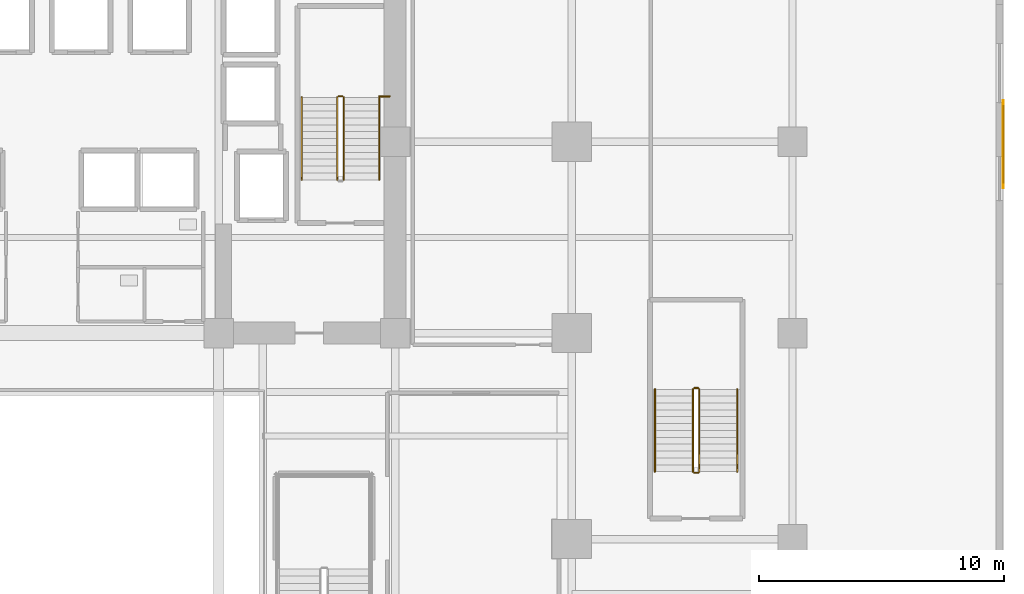
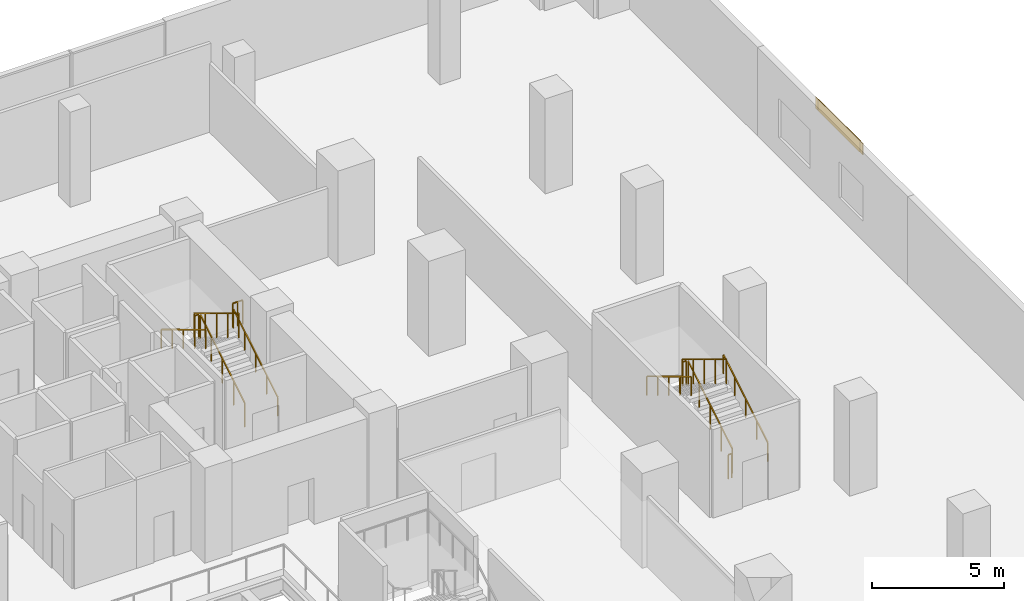
# One storey, part 20 of 21: 12 railings, 1 covering, 1 shading device.
"""IFC4 building model written with IfcOpenShell, lengths in metres."""

from ifc_helpers import new_model, si_unit, direction, frame, origin, origin_2d, place, context, subcontext, project, spatial, rectangle, extrude, source, transform, mapped, material, layer, layer_set, type_object, element, save


model = new_model("IFC4")

# Units and contexts
model_context = context("Model", 3, precision=1e-05, world=origin(), true_north=direction((0.0, 1.0)))
body_context = subcontext(model_context, "Body", "Model", "MODEL_VIEW")
ifc_project = project(units=[si_unit("LENGTHUNIT", "METRE"), si_unit("AREAUNIT", "SQUARE_METRE"), si_unit("VOLUMEUNIT", "CUBIC_METRE"), si_unit("PLANEANGLEUNIT", "RADIAN"), si_unit("MASSUNIT", "GRAM", prefix="KILO")], contexts=[model_context])

# Site, building, storey
site_placement = place(None, origin())
site = spatial("IfcSite", under=ifc_project, at=site_placement, CompositionType="ELEMENT")
building_placement = place(site_placement, origin())
building = spatial("IfcBuilding", under=site, at=building_placement, Name="Zarnakvel Exchange Tower", CompositionType="ELEMENT")
storey_placement = place(building_placement, frame((0.0, 0.0, 5.0)))
storey = spatial("IfcBuildingStorey", under=building, at=storey_placement, Name="L01", CompositionType="ELEMENT", Elevation=5.0)

# Railings
ifc_material_1 = material(Name="Brushed Stainless Steel", Category="steel")
railing_type_1 = type_object("IfcRailingType", Name="HR-01", PredefinedType="HANDRAIL", material=ifc_material_1)
railing_1_placement = place(storey_placement, frame((13.75, 5.050048828125, 0.169189453125)))
element("IfcRailing", 1, at=railing_1_placement, inside=storey, type_object=railing_type_1, Name="L01 ST-02 stair handrail 1", PredefinedType="HANDRAIL", context=body_context, shape_type="SweptSolid", body=[
    extrude(rectangle(XDim=0.048095703125, YDim=0.048095703125, at=origin_2d()), frame((0.0, 0.0, 0.8759765625), z_axis=(0.0, 0.855820338506, 0.51727318527), x_axis=(-1.0, 0.0, 0.0)), (0.0, 0.0, 1.0), 3.92578125),
    extrude(rectangle(XDim=0.0419921875, YDim=0.0419921875, at=origin_2d()), origin(), (0.0, 0.0, 1.0), 0.851806640625),
    extrude(rectangle(XDim=0.0419921875, YDim=0.0419921875, at=origin_2d()), frame((0.0, 0.83984375, 0.5078125)), (0.0, 0.0, 1.0), 0.851806640625),
    extrude(rectangle(XDim=0.0419921875, YDim=0.0419921875, at=origin_2d()), frame((0.0, 1.679931640625, 1.015380859375)), (0.0, 0.0, 1.0), 0.851806640625),
    extrude(rectangle(XDim=0.0419921875, YDim=0.0419921875, at=origin_2d()), frame((0.0, 2.52001953125, 1.52294921875)), (0.0, 0.0, 1.0), 0.851806640625),
    extrude(rectangle(XDim=0.0419921875, YDim=0.0419921875, at=origin_2d()), frame((0.0, 3.35986328125, 2.03076171875)), (0.0, 0.0, 1.0), 0.851806640625),
])
railing_2_placement = place(storey_placement, frame((10.590087890625, 8.409912109375, 2.369140625)))
element("IfcRailing", 2, at=railing_2_placement, inside=storey, type_object=railing_type_1, Name="L01 ST-02 stair handrail 2", PredefinedType="HANDRAIL", context=body_context, shape_type="SweptSolid", body=[
    extrude(rectangle(XDim=0.048095703125, YDim=0.048095703125, at=origin_2d()), frame((0.0, 0.0, 0.8759765625), z_axis=(0.0, -0.855820338506, 0.51727318527), x_axis=(1.0, 0.0, 0.0)), (0.0, 0.0, 1.0), 3.92578125),
    extrude(rectangle(XDim=0.0419921875, YDim=0.0419921875, at=origin_2d()), origin(), (0.0, 0.0, 1.0), 0.851806640625),
    extrude(rectangle(XDim=0.0419921875, YDim=0.0419921875, at=origin_2d()), frame((0.0, -0.83984375, 0.5078125)), (0.0, 0.0, 1.0), 0.851806640625),
    extrude(rectangle(XDim=0.0419921875, YDim=0.0419921875, at=origin_2d()), frame((0.0, -1.679931640625, 1.015380859375)), (0.0, 0.0, 1.0), 0.851806640625),
    extrude(rectangle(XDim=0.0419921875, YDim=0.0419921875, at=origin_2d()), frame((0.0, -2.52001953125, 1.52294921875)), (0.0, 0.0, 1.0), 0.851806640625),
    extrude(rectangle(XDim=0.0419921875, YDim=0.0419921875, at=origin_2d()), frame((0.0, -3.35986328125, 2.03076171875)), (0.0, 0.0, 1.0), 0.851806640625),
])
railing_3_placement = place(storey_placement, frame((28.35009765625, -6.85009765625, 0.169189453125)))
element("IfcRailing", 3, at=railing_3_placement, inside=storey, type_object=railing_type_1, Name="L01 ST-04 stair handrail 1", PredefinedType="HANDRAIL", context=body_context, shape_type="SweptSolid", body=[
    extrude(rectangle(XDim=0.048095703125, YDim=0.048095703125, at=origin_2d()), frame((0.0, 0.0, 0.8759765625), z_axis=(0.0, 0.855836976705, 0.517245656632), x_axis=(-1.0, 0.0, 0.0)), (0.0, 0.0, 1.0), 3.926025390625),
    extrude(rectangle(XDim=0.0419921875, YDim=0.0419921875, at=origin_2d()), origin(), (0.0, 0.0, 1.0), 0.851806640625),
    extrude(rectangle(XDim=0.0419921875, YDim=0.0419921875, at=origin_2d()), frame((0.0, 0.840087890625, 0.5078125)), (0.0, 0.0, 1.0), 0.851806640625),
    extrude(rectangle(XDim=0.0419921875, YDim=0.0419921875, at=origin_2d()), frame((0.0, 1.68017578125, 1.015380859375)), (0.0, 0.0, 1.0), 0.851806640625),
    extrude(rectangle(XDim=0.0419921875, YDim=0.0419921875, at=origin_2d()), frame((0.0, 2.52001953125, 1.52294921875)), (0.0, 0.0, 1.0), 0.851806640625),
    extrude(rectangle(XDim=0.0419921875, YDim=0.0419921875, at=origin_2d()), frame((0.0, 3.360107421875, 2.03076171875)), (0.0, 0.0, 1.0), 0.851806640625),
])
railing_4_placement = place(storey_placement, frame((24.989990234375, -3.489990234375, 2.369140625)))
element("IfcRailing", 4, at=railing_4_placement, inside=storey, type_object=railing_type_1, Name="L01 ST-04 stair handrail 2", PredefinedType="HANDRAIL", context=body_context, shape_type="SweptSolid", body=[
    extrude(rectangle(XDim=0.048095703125, YDim=0.048095703125, at=origin_2d()), frame((0.0, 0.0, 0.8759765625), z_axis=(0.0, -0.855836976705, 0.517245656632), x_axis=(1.0, 0.0, 0.0)), (0.0, 0.0, 1.0), 3.926025390625),
    extrude(rectangle(XDim=0.0419921875, YDim=0.0419921875, at=origin_2d()), origin(), (0.0, 0.0, 1.0), 0.851806640625),
    extrude(rectangle(XDim=0.0419921875, YDim=0.0419921875, at=origin_2d()), frame((0.0, -0.840087890625, 0.5078125)), (0.0, 0.0, 1.0), 0.851806640625),
    extrude(rectangle(XDim=0.0419921875, YDim=0.0419921875, at=origin_2d()), frame((0.0, -1.68017578125, 1.015380859375)), (0.0, 0.0, 1.0), 0.851806640625),
    extrude(rectangle(XDim=0.0419921875, YDim=0.0419921875, at=origin_2d()), frame((0.0, -2.52001953125, 1.52294921875)), (0.0, 0.0, 1.0), 0.851806640625),
    extrude(rectangle(XDim=0.0419921875, YDim=0.0419921875, at=origin_2d()), frame((0.0, -3.360107421875, 2.03076171875)), (0.0, 0.0, 1.0), 0.851806640625),
])
ifc_material_2 = material(Name="Architectural Bronze Anodised Aluminium", Category="aluminium")
railing_type_2 = type_object("IfcRailingType", Name="SG-01", PredefinedType="GUARDRAIL", material=ifc_material_2)
railing_5_placement = place(storey_placement, frame((12.300048828125, 5.050048828125, 0.169189453125)))
element("IfcRailing", 5, at=railing_5_placement, inside=storey, type_object=railing_type_2, Name="L01 ST-02 stair guard 1", PredefinedType="GUARDRAIL", context=body_context, shape_type="SweptSolid", body=[
    extrude(rectangle(XDim=0.048095703125, YDim=0.048095703125, at=origin_2d()), frame((0.0, 0.0, 1.1259765625), z_axis=(0.0, 0.855820338506, 0.51727318527), x_axis=(-1.0, 0.0, 0.0)), (0.0, 0.0, 1.0), 3.92578125),
    extrude(rectangle(XDim=0.0419921875, YDim=0.0419921875, at=origin_2d()), origin(), (0.0, 0.0, 1.0), 1.101806640625),
    extrude(rectangle(XDim=0.0419921875, YDim=0.0419921875, at=origin_2d()), frame((0.0, 0.83984375, 0.5078125)), (0.0, 0.0, 1.0), 1.101806640625),
    extrude(rectangle(XDim=0.0419921875, YDim=0.0419921875, at=origin_2d()), frame((0.0, 1.679931640625, 1.015380859375)), (0.0, 0.0, 1.0), 1.101806640625),
    extrude(rectangle(XDim=0.0419921875, YDim=0.0419921875, at=origin_2d()), frame((0.0, 2.52001953125, 1.52294921875)), (0.0, 0.0, 1.0), 1.101806640625),
    extrude(rectangle(XDim=0.0419921875, YDim=0.0419921875, at=origin_2d()), frame((0.0, 3.35986328125, 2.03076171875)), (0.0, 0.0, 1.0), 1.101806640625),
])
railing_6_placement = place(storey_placement, frame((12.25, 8.4599609375, 2.199951171875)))
element("IfcRailing", 6, at=railing_6_placement, inside=storey, type_object=railing_type_2, Name="L01 ST-02 stair guard 2", PredefinedType="GUARDRAIL", context=body_context, shape_type="SweptSolid", body=[
    extrude(rectangle(XDim=0.048095703125, YDim=0.048095703125, at=origin_2d()), frame((0.0, 0.0, 1.1259765625), z_axis=(-1.0, 0.0, 0.0), x_axis=(0.0, -1.0, 0.0)), (0.0, 0.0, 1.0), 0.159912109375),
    extrude(rectangle(XDim=0.0419921875, YDim=0.0419921875, at=origin_2d()), origin(), (0.0, 0.0, 1.0), 1.101806640625),
    extrude(rectangle(XDim=0.0419921875, YDim=0.0419921875, at=origin_2d()), frame((-0.159912109375, 0.0, 0.0)), (0.0, 0.0, 1.0), 1.101806640625),
])
railing_7_placement = place(storey_placement, frame((12.0400390625, 8.409912109375, 2.369140625)))
element("IfcRailing", 7, at=railing_7_placement, inside=storey, type_object=railing_type_2, Name="L01 ST-02 stair guard 3", PredefinedType="GUARDRAIL", context=body_context, shape_type="SweptSolid", body=[
    extrude(rectangle(XDim=0.048095703125, YDim=0.048095703125, at=origin_2d()), frame((0.0, 0.0, 1.1259765625), z_axis=(0.0, -0.855820338506, 0.51727318527), x_axis=(1.0, 0.0, 0.0)), (0.0, 0.0, 1.0), 3.92578125),
    extrude(rectangle(XDim=0.0419921875, YDim=0.0419921875, at=origin_2d()), origin(), (0.0, 0.0, 1.0), 1.101806640625),
    extrude(rectangle(XDim=0.0419921875, YDim=0.0419921875, at=origin_2d()), frame((0.0, -0.83984375, 0.5078125)), (0.0, 0.0, 1.0), 1.101806640625),
    extrude(rectangle(XDim=0.0419921875, YDim=0.0419921875, at=origin_2d()), frame((0.0, -1.679931640625, 1.015380859375)), (0.0, 0.0, 1.0), 1.101806640625),
    extrude(rectangle(XDim=0.0419921875, YDim=0.0419921875, at=origin_2d()), frame((0.0, -2.52001953125, 1.52294921875)), (0.0, 0.0, 1.0), 1.101806640625),
    extrude(rectangle(XDim=0.0419921875, YDim=0.0419921875, at=origin_2d()), frame((0.0, -3.35986328125, 2.03076171875)), (0.0, 0.0, 1.0), 1.101806640625),
])
railing_8_placement = place(storey_placement, frame((13.75, 8.449951171875, 2.199951171875)))
element("IfcRailing", 8, at=railing_8_placement, inside=storey, type_object=railing_type_2, Name="L01 ST-02 Landing Slot Guardrail", PredefinedType="GUARDRAIL", context=body_context, shape_type="SweptSolid", body=[
    extrude(rectangle(XDim=0.048095703125, YDim=0.048095703125, at=origin_2d()), frame((0.0, 0.0, 1.1259765625), z_axis=(1.0, 0.0, 0.0), x_axis=(0.0, 1.0, 0.0)), (0.0, 0.0, 1.0), 0.429931640625),
    extrude(rectangle(XDim=0.0419921875, YDim=0.0419921875, at=origin_2d()), origin(), (0.0, 0.0, 1.0), 1.101806640625),
    extrude(rectangle(XDim=0.0419921875, YDim=0.0419921875, at=origin_2d()), frame((0.21484375, 0.0, 0.0)), (0.0, 0.0, 1.0), 1.101806640625),
    extrude(rectangle(XDim=0.0419921875, YDim=0.0419921875, at=origin_2d()), frame((0.429931640625, 0.0, 0.0)), (0.0, 0.0, 1.0), 1.101806640625),
])
railing_9_placement = place(storey_placement, frame((26.800048828125, -6.85009765625, 0.169189453125)))
element("IfcRailing", 9, at=railing_9_placement, inside=storey, type_object=railing_type_2, Name="L01 ST-04 stair guard 1", PredefinedType="GUARDRAIL", context=body_context, shape_type="SweptSolid", body=[
    extrude(rectangle(XDim=0.048095703125, YDim=0.048095703125, at=origin_2d()), frame((0.0, 0.0, 1.1259765625), z_axis=(0.0, 0.855836976705, 0.517245656632), x_axis=(-1.0, 0.0, 0.0)), (0.0, 0.0, 1.0), 3.926025390625),
    extrude(rectangle(XDim=0.0419921875, YDim=0.0419921875, at=origin_2d()), origin(), (0.0, 0.0, 1.0), 1.101806640625),
    extrude(rectangle(XDim=0.0419921875, YDim=0.0419921875, at=origin_2d()), frame((0.0, 0.840087890625, 0.5078125)), (0.0, 0.0, 1.0), 1.101806640625),
    extrude(rectangle(XDim=0.0419921875, YDim=0.0419921875, at=origin_2d()), frame((0.0, 1.68017578125, 1.015380859375)), (0.0, 0.0, 1.0), 1.101806640625),
    extrude(rectangle(XDim=0.0419921875, YDim=0.0419921875, at=origin_2d()), frame((0.0, 2.52001953125, 1.52294921875)), (0.0, 0.0, 1.0), 1.101806640625),
    extrude(rectangle(XDim=0.0419921875, YDim=0.0419921875, at=origin_2d()), frame((0.0, 3.360107421875, 2.03076171875)), (0.0, 0.0, 1.0), 1.101806640625),
])
railing_10_placement = place(storey_placement, frame((26.75, -3.43994140625, 2.199951171875)))
element("IfcRailing", 10, at=railing_10_placement, inside=storey, type_object=railing_type_2, Name="L01 ST-04 stair guard 2", PredefinedType="GUARDRAIL", context=body_context, shape_type="SweptSolid", body=[
    extrude(rectangle(XDim=0.048095703125, YDim=0.048095703125, at=origin_2d()), frame((0.0, 0.0, 1.1259765625), z_axis=(-1.0, 0.0, 0.0), x_axis=(0.0, -1.0, 0.0)), (0.0, 0.0, 1.0), 0.159912109375),
    extrude(rectangle(XDim=0.0419921875, YDim=0.0419921875, at=origin_2d()), origin(), (0.0, 0.0, 1.0), 1.101806640625),
    extrude(rectangle(XDim=0.0419921875, YDim=0.0419921875, at=origin_2d()), frame((-0.159912109375, 0.0, 0.0)), (0.0, 0.0, 1.0), 1.101806640625),
])
railing_11_placement = place(storey_placement, frame((26.5400390625, -3.489990234375, 2.369140625)))
element("IfcRailing", 11, at=railing_11_placement, inside=storey, type_object=railing_type_2, Name="L01 ST-04 stair guard 3", PredefinedType="GUARDRAIL", context=body_context, shape_type="SweptSolid", body=[
    extrude(rectangle(XDim=0.048095703125, YDim=0.048095703125, at=origin_2d()), frame((0.0, 0.0, 1.1259765625), z_axis=(0.0, -0.855836976705, 0.517245656632), x_axis=(1.0, 0.0, 0.0)), (0.0, 0.0, 1.0), 3.926025390625),
    extrude(rectangle(XDim=0.0419921875, YDim=0.0419921875, at=origin_2d()), origin(), (0.0, 0.0, 1.0), 1.101806640625),
    extrude(rectangle(XDim=0.0419921875, YDim=0.0419921875, at=origin_2d()), frame((0.0, -0.840087890625, 0.5078125)), (0.0, 0.0, 1.0), 1.101806640625),
    extrude(rectangle(XDim=0.0419921875, YDim=0.0419921875, at=origin_2d()), frame((0.0, -1.68017578125, 1.015380859375)), (0.0, 0.0, 1.0), 1.101806640625),
    extrude(rectangle(XDim=0.0419921875, YDim=0.0419921875, at=origin_2d()), frame((0.0, -2.52001953125, 1.52294921875)), (0.0, 0.0, 1.0), 1.101806640625),
    extrude(rectangle(XDim=0.0419921875, YDim=0.0419921875, at=origin_2d()), frame((0.0, -3.360107421875, 2.03076171875)), (0.0, 0.0, 1.0), 1.101806640625),
])
railing_12_placement = place(storey_placement, frame((26.75, -6.89990234375, 0.0)))
element("IfcRailing", 12, at=railing_12_placement, inside=storey, type_object=railing_type_2, Name="L01 ST-04 stair guard 4", PredefinedType="GUARDRAIL", context=body_context, shape_type="SweptSolid", body=[
    extrude(rectangle(XDim=0.048095703125, YDim=0.048095703125, at=origin_2d()), frame((0.0, 0.0, 1.1259765625), z_axis=(-1.0, 0.0, 0.0), x_axis=(0.0, -1.0, 0.0)), (0.0, 0.0, 1.0), 0.159912109375),
    extrude(rectangle(XDim=0.0419921875, YDim=0.0419921875, at=origin_2d()), origin(), (0.0, 0.0, 1.0), 1.101806640625),
    extrude(rectangle(XDim=0.0419921875, YDim=0.0419921875, at=origin_2d()), frame((-0.159912109375, 0.0, 0.0)), (0.0, 0.0, 1.0), 1.101806640625),
])

# Shading device
ifc_material_3 = material(Name="Perforated Architectural Bronze Screen", Category="aluminium")
ifc_layer_1 = layer(ifc_material_3, 0.044921875)
ifc_layer_set_1 = layer_set([ifc_layer_1], Name="Perforated Architectural Bronze Screen")
shading_device_type = type_object("IfcShadingDeviceType", Name="SS-01", PredefinedType="JALOUSIE", material=ifc_layer_set_1)
shared_shape_1 = source(origin(), body_context, "Body", "SweptSolid", [
    extrude(rectangle(XDim=3.199951171875, YDim=0.044921875, at=origin_2d()), origin(), (0.0, 0.0, 1.0), 0.52001953125),
])
shading_device_placement = place(storey_placement, frame((39.200439453125, 6.5, 3.56005859375), z_axis=(0.0, 0.0, 1.0), x_axis=(0.0, -1.0, 0.0)))
element("IfcShadingDevice", 13, at=shading_device_placement, inside=storey, type_object=shading_device_type, Name="L01 Bronze Solar Shading Screen SS-01", PredefinedType="JALOUSIE", context=body_context, shape_type="MappedRepresentation", body=[
    mapped(shared_shape_1, transform((0.0, 0.0, 0.0), x_axis=(1.0, 0.0, 0.0), y_axis=(0.0, 1.0, 0.0), z_axis=(0.0, 0.0, 1.0), scale=1.0)),
])

# Covering
ifc_material_4 = material(Name="Warm Sandstone Terracotta Spandrel Tile", Category="masonry")
ifc_layer_2 = layer(ifc_material_4, 0.031982421875)
ifc_layer_set_2 = layer_set([ifc_layer_2], Name="Warm Sandstone Terracotta Spandrel Tile")
covering_type = type_object("IfcCoveringType", Name="CL-02", PredefinedType="CLADDING", material=ifc_layer_set_2)
shared_shape_2 = source(origin(), body_context, "Body", "SweptSolid", [
    extrude(rectangle(XDim=3.60009765625, YDim=0.031982421875, at=origin_2d()), origin(), (0.0, 0.0, 1.0), 0.52001953125),
])
covering_placement = place(storey_placement, frame((39.194091796875, 6.5, 3.56005859375), z_axis=(0.0, 0.0, 1.0), x_axis=(0.0, -1.0, 0.0)))
element("IfcCovering", 14, at=covering_placement, inside=storey, type_object=covering_type, Name="L01 Ceramic Spandrel Tilework CL-02", PredefinedType="CLADDING", context=body_context, shape_type="MappedRepresentation", body=[
    mapped(shared_shape_2, transform((0.0, 0.0, 0.0), x_axis=(1.0, 0.0, 0.0), y_axis=(0.0, 1.0, 0.0), z_axis=(0.0, 0.0, 1.0), scale=1.0)),
])

save(model, "model.ifc")
